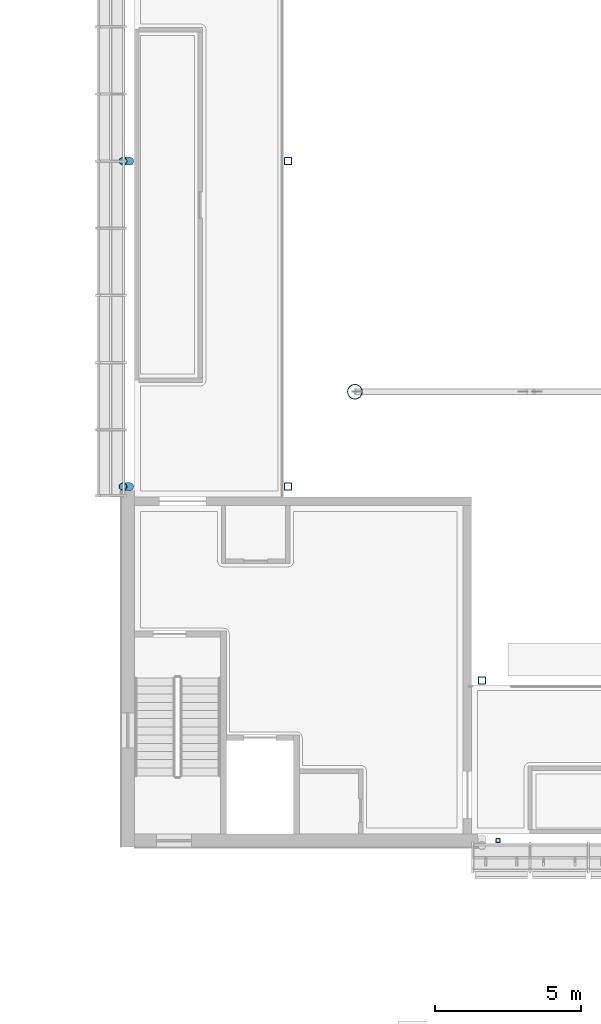
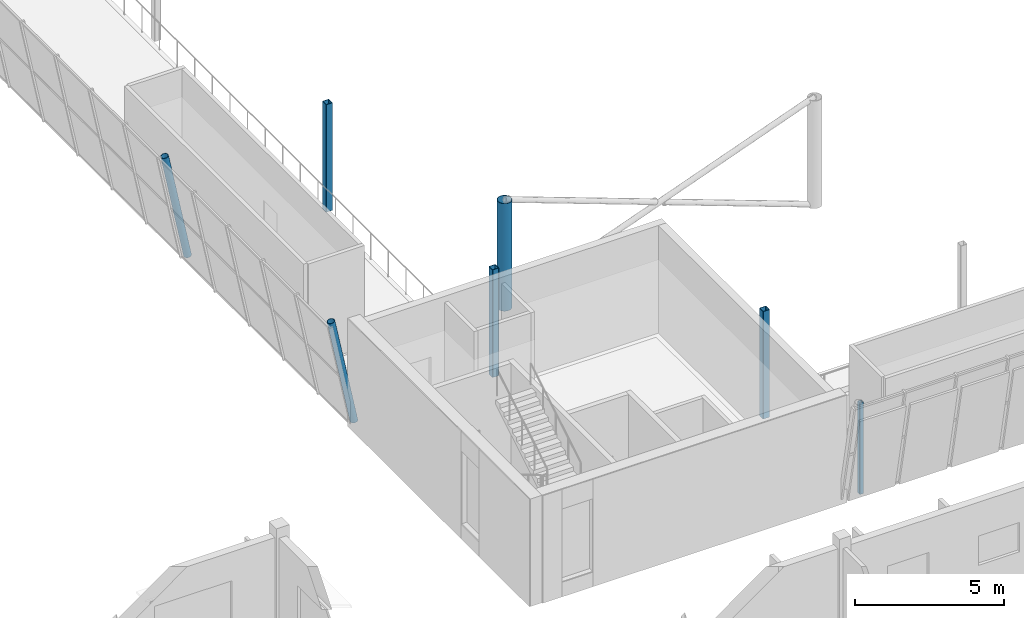
# One storey, part 2 of 115: 7 columns.
"""IFC4 building model written with IfcOpenShell, lengths in metres."""

from ifc_helpers import new_model, si_unit, direction, frame, origin, origin_2d, place, context, subcontext, project, spatial, hollow_rectangle, hollow_circle, extrude, material, material_profile, profile_set, type_object, element, save


model = new_model("IFC4")

# Units and contexts
model_context = context("Model", 3, precision=1e-05, world=origin(), true_north=direction((0.0, 1.0)))
body_context = subcontext(model_context, "Body", "Model", "MODEL_VIEW")
ifc_project = project(units=[si_unit("LENGTHUNIT", "METRE"), si_unit("AREAUNIT", "SQUARE_METRE"), si_unit("VOLUMEUNIT", "CUBIC_METRE"), si_unit("PLANEANGLEUNIT", "RADIAN"), si_unit("MASSUNIT", "GRAM", prefix="KILO")], contexts=[model_context])

# Site, building, storey
site_placement = place(None, origin())
site = spatial("IfcSite", under=ifc_project, at=site_placement, CompositionType="ELEMENT")
building_placement = place(site_placement, origin())
building = spatial("IfcBuilding", under=site, at=building_placement, Name="Windward Yard Aquatics Centre", CompositionType="ELEMENT")
storey_placement = place(building_placement, frame((0.0, 0.0, 5.0)))
storey = spatial("IfcBuildingStorey", under=building, at=storey_placement, Name="L01", CompositionType="ELEMENT", Elevation=5.0)

# Columns
ifc_material = material(Name="Steel ASTM A500 Gr C", Category="steel")
ifc_material_profile_1 = material_profile(ifc_material, hollow_circle(Radius=0.25390625, WallThickness=0.015869140625, at=origin_2d()), Name="HSS508X15.9")
ifc_profile_set_1 = profile_set([ifc_material_profile_1], Name="Steel ASTM A500 Gr C")
column_type_1 = type_object("IfcColumnType", Name="H arch column HSS508X15.9", PredefinedType="COLUMN", material=ifc_profile_set_1)
column_1_placement = place(storey_placement, frame((60.0, 41.60009765625, 0.0), z_axis=(0.0, 0.0, 1.0), x_axis=(1.0, 0.0, 0.0)))
element("IfcColumn", 1, at=column_1_placement, inside=storey, type_object=column_type_1, Name="H.AC.S1.L01", PredefinedType="COLUMN", context=body_context, shape_type="SweptSolid", body=[
    extrude(hollow_circle(Radius=0.25390625, WallThickness=0.015869140625, at=origin_2d()), origin(), (0.0, 0.0, 1.0), 4.39990234375),
])
ifc_material_profile_2 = material_profile(ifc_material, hollow_rectangle(XDim=0.15234375, YDim=0.15234375, WallThickness=0.0126953125, InnerFilletRadius=0.00634765625, OuterFilletRadius=0.01904296875, at=origin_2d()), Name="HSS152X152X12.7")
ifc_profile_set_2 = profile_set([ifc_material_profile_2], Name="Steel ASTM A500 Gr C")
column_type_2 = type_object("IfcColumnType", Name="H gallery column HSS152X152X12.7", PredefinedType="COLUMN", material=ifc_profile_set_2)
column_2_placement = place(storey_placement, frame((64.89990234375, 26.22509765625, 0.0), z_axis=(0.0, 0.0, 1.0), x_axis=(1.0, 0.0, 0.0)))
element("IfcColumn", 2, at=column_2_placement, inside=storey, type_object=column_type_2, Name="H.GC.S1.L01", PredefinedType="COLUMN", context=body_context, shape_type="SweptSolid", body=[
    extrude(hollow_rectangle(XDim=0.15234375, YDim=0.15234375, WallThickness=0.0126953125, InnerFilletRadius=0.00634765625, OuterFilletRadius=0.01904296875, at=origin_2d()), origin(), (0.0, 0.0, 1.0), 3.742919921875),
])
ifc_material_profile_3 = material_profile(ifc_material, hollow_rectangle(XDim=0.25390625, YDim=0.25390625, WallThickness=0.015869140625, InnerFilletRadius=0.008056640625, OuterFilletRadius=0.02392578125, at=origin_2d()), Name="HSS254X254X15.9")
ifc_profile_set_3 = profile_set([ifc_material_profile_3], Name="Steel ASTM A500 Gr C")
column_type_3 = type_object("IfcColumnType", Name="H inner column HSS254X254X15.9", PredefinedType="COLUMN", material=ifc_profile_set_3)
for number, where, z_axis, x_axis, name in (
    (3, (64.35009765625, 31.709716796875, 0.0), (0.0, 0.0, 1.0), (1.0, 0.0, 0.0), "H.IC.S1.L01"),
    (4, (57.709716796875, 38.35009765625, 0.0), (0.0, 0.0, 1.0), (1.0, 0.0, 0.0), "H.IC.W1.L01"),
    (5, (57.709716796875, 49.5, 0.0), (0.0, 0.0, 1.0), (1.0, 0.0, 0.0), "H.IC.W2.L01"),
):
    element("IfcColumn", number, at=place(storey_placement, frame(where, z_axis=z_axis, x_axis=x_axis)), inside=storey, type_object=column_type_3, Name=name, PredefinedType="COLUMN", context=body_context, shape_type="SweptSolid", body=[
        extrude(hollow_rectangle(XDim=0.25390625, YDim=0.25390625, WallThickness=0.015869140625, InnerFilletRadius=0.008056640625, OuterFilletRadius=0.02392578125, at=origin_2d()), origin(), (0.0, 0.0, 1.0), 4.39990234375),
    ])
ifc_material_profile_4 = material_profile(ifc_material, hollow_circle(Radius=0.136474609375, WallThickness=0.0126953125, at=origin_2d()), Name="HSS273.1X12.7")
ifc_profile_set_4 = profile_set([ifc_material_profile_4], Name="Steel ASTM A500 Gr C")
column_type_4 = type_object("IfcColumnType", Name="H tier 1 leg HSS273.1X12.7", PredefinedType="COLUMN", material=ifc_profile_set_4)
for number, where, z_axis, x_axis, name in (
    (6, (52.29443359375, 38.35009765625, 0.02734375), (-0.19937683017, 0.0, 0.979922894717), (0.0, -1.0, 0.0), "H.TL.W1.T1A.L01"),
    (7, (52.29443359375, 49.5, 0.02734375), (-0.19937683017, 0.0, 0.979922894717), (0.0, -1.0, 0.0), "H.TL.W2.T1A.L01"),
):
    element("IfcColumn", number, at=place(storey_placement, frame(where, z_axis=z_axis, x_axis=x_axis)), inside=storey, type_object=column_type_4, Name=name, PredefinedType="COLUMN", context=body_context, shape_type="SweptSolid", body=[
        extrude(hollow_circle(Radius=0.136474609375, WallThickness=0.0126953125, at=origin_2d()), origin(), (0.0, 0.0, 1.0), 4.462158203125),
    ])

save(model, "model.ifc")
